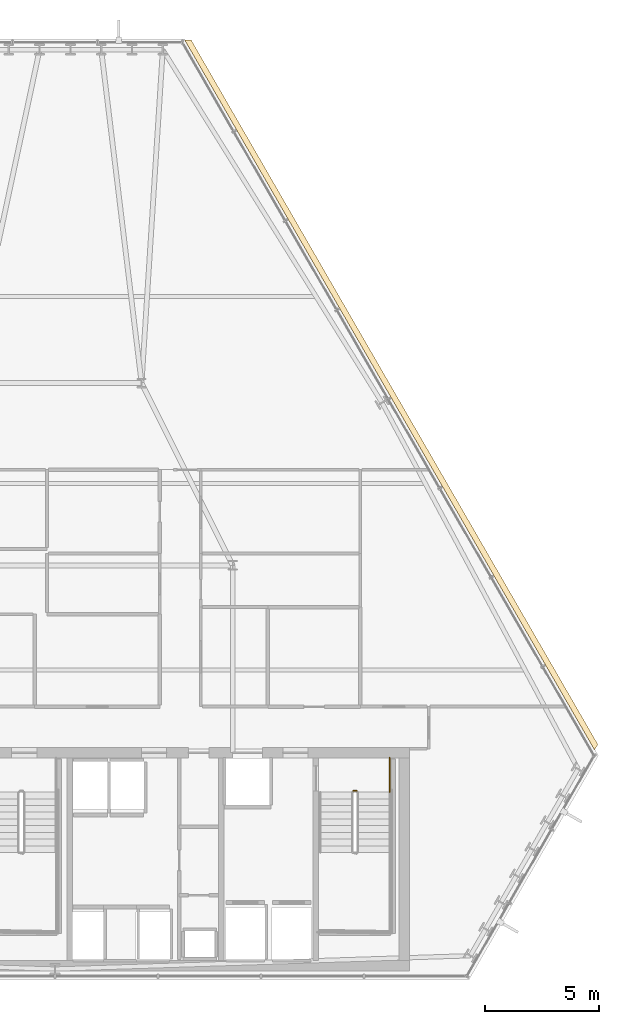
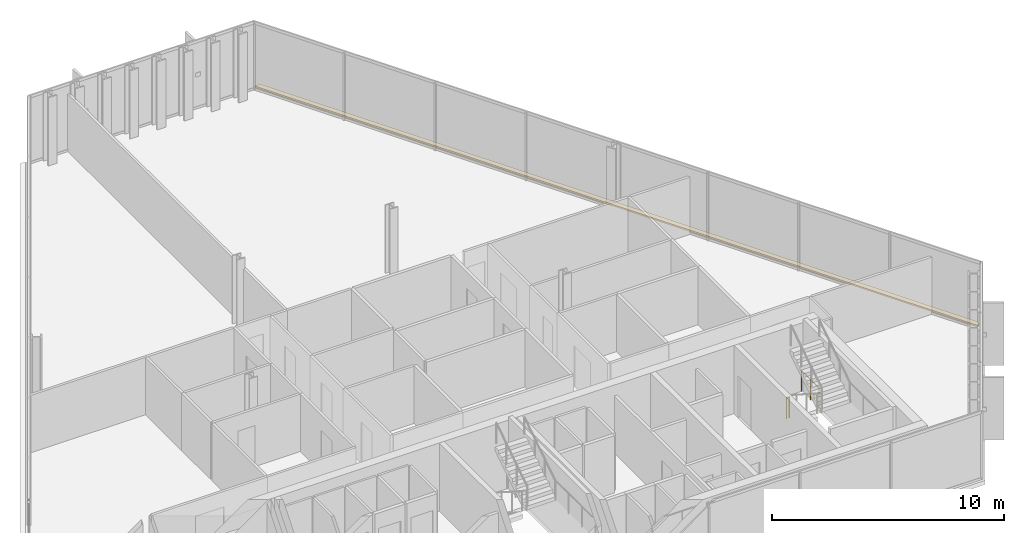
# One storey, part 32 of 33: 2 railings, 1 covering.
"""IFC4 building model written with IfcOpenShell, lengths in metres."""

from ifc_helpers import new_model, si_unit, direction, frame, origin, origin_2d, place, context, subcontext, project, spatial, polyline, circle, outline, extrude, material, layer, layer_set, type_object, element, save


model = new_model("IFC4")

# Units and contexts
model_context = context("Model", 3, precision=1e-05, world=origin(), true_north=direction((0.0, 1.0)))
body_context = subcontext(model_context, "Body", "Model", "MODEL_VIEW")
ifc_project = project(units=[si_unit("LENGTHUNIT", "METRE"), si_unit("AREAUNIT", "SQUARE_METRE"), si_unit("VOLUMEUNIT", "CUBIC_METRE"), si_unit("PLANEANGLEUNIT", "RADIAN"), si_unit("MASSUNIT", "GRAM", prefix="KILO")], contexts=[model_context])

# Site, building, storey
site_placement = place(None, origin())
site = spatial("IfcSite", under=ifc_project, at=site_placement, CompositionType="ELEMENT")
building_placement = place(site_placement, origin())
building = spatial("IfcBuilding", under=site, at=building_placement, Name="Ndaravel Arena Tower", CompositionType="ELEMENT")
storey_placement = place(building_placement, frame((0.0, 0.0, 149.800048828125)))
storey = spatial("IfcBuildingStorey", under=building, at=storey_placement, Name="L35", CompositionType="ELEMENT", Elevation=149.800048828125)

# Covering
ifc_material_1 = material(Name="Roofing Membrane", Category="finish")
ifc_layer_1 = layer(ifc_material_1, 0.080078125)
ifc_layer_set_1 = layer_set([ifc_layer_1], Name="Roofing Membrane")
covering_type = type_object("IfcCoveringType", Name="COV-ROOF-MEMB", PredefinedType="ROOFING", material=ifc_layer_set_1)
covering_placement = place(storey_placement, origin())
element("IfcCovering", 1, at=covering_placement, inside=storey, type_object=covering_type, Name="L35 Facet Setback Weathering Flashing", PredefinedType="ROOFING", context=body_context, shape_type="SweptSolid", body=[
    extrude(outline(polyline([(47.9716796875, 46.264892578125), (65.82421875, 15.34326171875), (65.68310546875, 15.0986328125), (47.689453125, 46.264892578125), (47.9716796875, 46.264892578125)])), origin(), (0.0, 0.0, 1.0), 0.079833984375),
])

# Railings
ifc_material_2 = material(Name="Steel S355", Category="steel")
ifc_layer_2 = layer(ifc_material_2, 0.06005859375)
ifc_layer_set_2 = layer_set([ifc_layer_2], Name="Steel S355")
railing_type = type_object("IfcRailingType", Name="RAIL-STAIR-GD1100", PredefinedType="GUARDRAIL", material=ifc_layer_set_2)
railing_1_placement = place(storey_placement, frame((55.10009765625, 13.300048828125, 0.0)))
element("IfcRailing", 2, at=railing_1_placement, inside=storey, type_object=railing_type, Name="L35 ST-3 stair guard 4", PredefinedType="GUARDRAIL", context=body_context, shape_type="SweptSolid", body=[
    extrude(circle(Radius=0.02392578125, at=origin_2d()), frame((0.0, 0.0, 1.076171875), z_axis=(1.0, 0.0, 0.0), x_axis=(0.0, 1.0, 0.0)), (0.0, 0.0, 1.0), 0.139892578125),
    extrude(circle(Radius=0.02099609375, at=origin_2d()), origin(), (0.0, 0.0, 1.0), 1.052001953125),
    extrude(circle(Radius=0.02099609375, at=origin_2d()), frame((0.139892578125, 0.0, 0.0)), (0.0, 0.0, 1.0), 1.052001953125),
])
railing_2_placement = place(storey_placement, frame((56.68994140625, 14.75, 0.0)))
element("IfcRailing", 3, at=railing_2_placement, inside=storey, type_object=railing_type, Name="L35 ST-3 stair guard 5", PredefinedType="GUARDRAIL", context=body_context, shape_type="SweptSolid", body=[
    extrude(circle(Radius=0.02392578125, at=origin_2d()), frame((0.0, 0.0, 1.076171875), z_axis=(0.0, -1.0, 0.0), x_axis=(1.0, 0.0, 0.0)), (0.0, 0.0, 1.0), 1.5),
    extrude(circle(Radius=0.02099609375, at=origin_2d()), origin(), (0.0, 0.0, 1.0), 1.052001953125),
    extrude(circle(Radius=0.02099609375, at=origin_2d()), frame((0.0, -0.75, 0.0)), (0.0, 0.0, 1.0), 1.052001953125),
    extrude(circle(Radius=0.02099609375, at=origin_2d()), frame((0.0, -1.5, 0.0)), (0.0, 0.0, 1.0), 1.052001953125),
])

save(model, "model.ifc")
